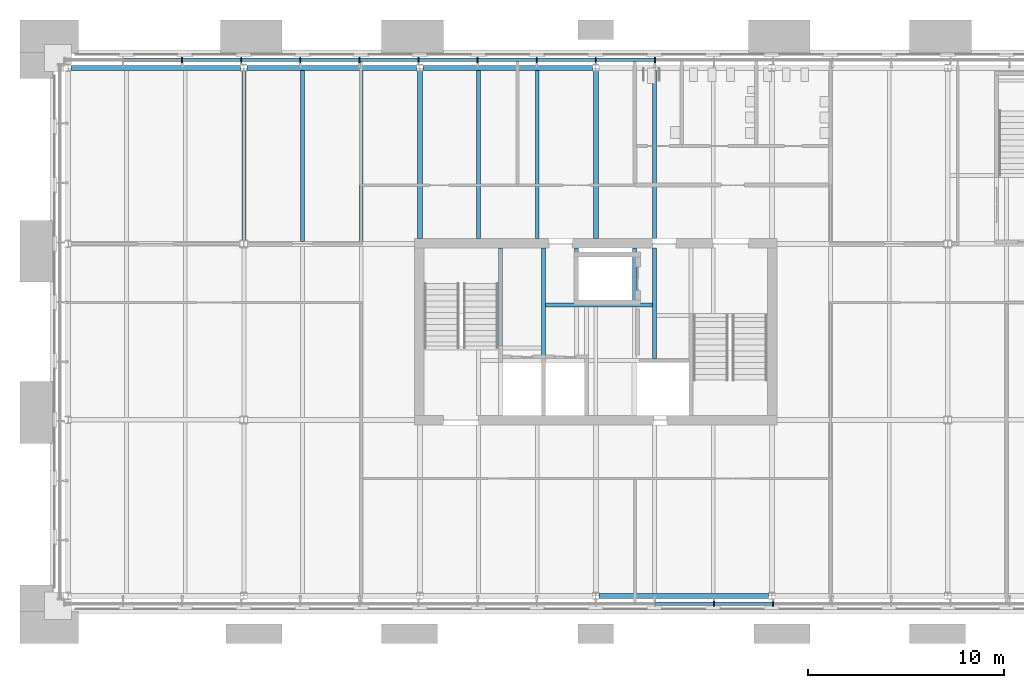
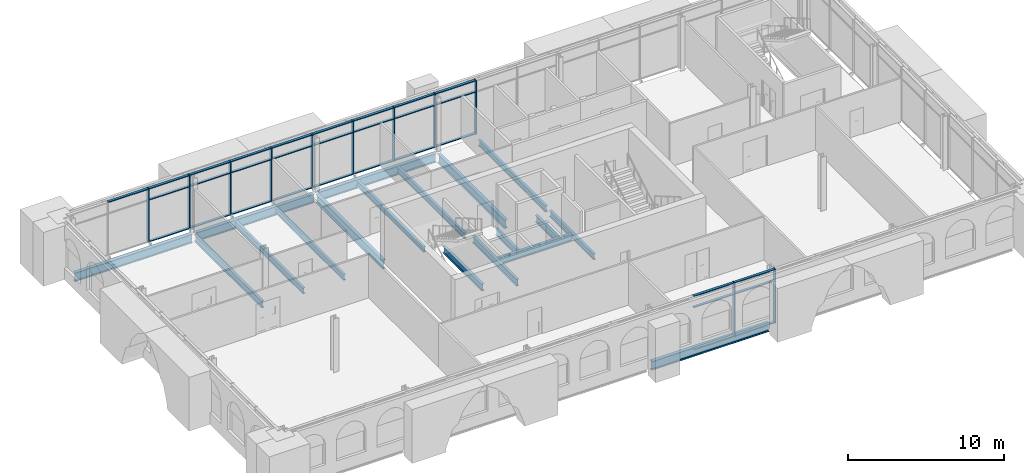
# One storey, part 5 of 22: 42 members, 18 beams, 2 elements without a shape of their own.
"""IFC4 building model written with IfcOpenShell, lengths in metres."""

from ifc_helpers import new_model, si_unit, direction, frame, origin, origin_2d, place, context, subcontext, project, spatial, rectangle, i_section, extrude, material, material_profile, profile_set, type_object, element, aggregate, save


model = new_model("IFC4")

# Units and contexts
model_context = context("Model", 3, precision=1e-05, world=origin(), true_north=direction((0.0, 1.0)))
body_context = subcontext(model_context, "Body", "Model", "MODEL_VIEW")
ifc_project = project(units=[si_unit("LENGTHUNIT", "METRE"), si_unit("AREAUNIT", "SQUARE_METRE"), si_unit("VOLUMEUNIT", "CUBIC_METRE"), si_unit("PLANEANGLEUNIT", "RADIAN"), si_unit("MASSUNIT", "GRAM", prefix="KILO")], contexts=[model_context])

# Site, building, storey
site_placement = place(None, origin())
site = spatial("IfcSite", under=ifc_project, at=site_placement, CompositionType="ELEMENT")
building_placement = place(site_placement, origin())
building = spatial("IfcBuilding", under=site, at=building_placement, Name="Baradari Gate Terminus", CompositionType="ELEMENT")
storey_placement = place(building_placement, frame((0.0, 0.0, 28.5)))
storey = spatial("IfcBuildingStorey", under=building, at=storey_placement, Name="L06", CompositionType="ELEMENT", Elevation=28.5)

# Beams
ifc_material_1 = material(Name="Steel S355", Category="steel")
ifc_material_profile_1 = material_profile(ifc_material_1, i_section(OverallWidth=0.19140625, OverallDepth=0.4599609375, WebThickness=0.010009765625, FlangeThickness=0.01611328125, FilletRadius=0.01025390625, at=origin_2d()), Name="UB 457x191x82")
ifc_profile_set_1 = profile_set([ifc_material_profile_1], Name="Steel S355")
beam_type_1 = type_object("IfcBeamType", Name="Core floor beam B23 UB 457x191x82", PredefinedType="BEAM", material=ifc_profile_set_1)
beam_1_placement = place(storey_placement, frame((39.0, 129.129638671875, -0.360107421875), z_axis=(0.0, 1.0, 0.0), x_axis=(-1.0, 0.0, 0.0)))
element("IfcBeam", 1, at=beam_1_placement, inside=storey, type_object=beam_type_1, Name="Core floor beam B23 39:129.13-134.775 L06", PredefinedType="BEAM", context=body_context, shape_type="SweptSolid", body=[
    extrude(i_section(OverallWidth=0.19140625, OverallDepth=0.4599609375, WebThickness=0.010009765625, FlangeThickness=0.01611328125, FilletRadius=0.01025390625, at=origin_2d()), origin(), (0.0, 0.0, 1.0), 5.645263671875),
])
ifc_material_2 = material(Name="Steel S355", Category="steel")
ifc_material_profile_2 = material_profile(ifc_material_2, i_section(OverallWidth=0.209228515625, OverallDepth=0.533203125, WebThickness=0.010009765625, FlangeThickness=0.015625, FilletRadius=0.0126953125, at=origin_2d()), Name="UB 533x210x92")
ifc_profile_set_2 = profile_set([ifc_material_profile_2], Name="Steel S355")
beam_type_2 = type_object("IfcBeamType", Name="Core floor trimmer beam B22 UB 533x210x92", PredefinedType="BEAM", material=ifc_profile_set_2)
beam_2_placement = place(storey_placement, frame((33.4296875, 131.875, -0.396484375), z_axis=(1.0, 0.0, 0.0), x_axis=(0.0, 1.0, 0.0)))
element("IfcBeam", 2, at=beam_2_placement, inside=storey, type_object=beam_type_2, Name="Core floor trimmer beam B22 131.875:33.43-38.904 L06", PredefinedType="BEAM", context=body_context, shape_type="SweptSolid", body=[
    extrude(i_section(OverallWidth=0.209228515625, OverallDepth=0.533203125, WebThickness=0.010009765625, FlangeThickness=0.015625, FilletRadius=0.0126953125, at=origin_2d()), origin(), (0.0, 0.0, 1.0), 5.474609375),
])
beam_3_placement = place(storey_placement, frame((33.324951171875, 129.129638671875, -0.396484375), z_axis=(0.0, 1.0, 0.0), x_axis=(-1.0, 0.0, 0.0)))
element("IfcBeam", 3, at=beam_3_placement, inside=storey, type_object=beam_type_2, Name="Core floor trimmer beam B22 33.325:129.13-134.775 L06", PredefinedType="BEAM", context=body_context, shape_type="SweptSolid", body=[
    extrude(i_section(OverallWidth=0.209228515625, OverallDepth=0.533203125, WebThickness=0.010009765625, FlangeThickness=0.015625, FilletRadius=0.0126953125, at=origin_2d()), origin(), (0.0, 0.0, 1.0), 5.645263671875),
])
beam_4_placement = place(storey_placement, frame((31.125, 129.77978515625, -0.396484375), z_axis=(0.0, 1.0, 0.0), x_axis=(-1.0, 0.0, 0.0)))
element("IfcBeam", 4, at=beam_4_placement, inside=storey, type_object=beam_type_2, Name="Core floor trimmer beam B22 31.125:129.78-134.775 L06", PredefinedType="BEAM", context=body_context, shape_type="SweptSolid", body=[
    extrude(i_section(OverallWidth=0.209228515625, OverallDepth=0.533203125, WebThickness=0.010009765625, FlangeThickness=0.015625, FilletRadius=0.0126953125, at=origin_2d()), origin(), (0.0, 0.0, 1.0), 4.9951171875),
])
for number, where, z_axis, x_axis, name in (
    (5, (35.02001953125, 131.9794921875, -0.396484375), (0.0, 1.0, 0.0), (-1.0, 0.0, 0.0), "Core floor trimmer beam B22 35.02:131.98-134.775 L06"),
    (6, (37.97802734375, 131.9794921875, -0.396484375), (0.0, 1.0, 0.0), (-1.0, 0.0, 0.0), "Core floor trimmer beam B22 37.978:131.98-134.775 L06"),
):
    element("IfcBeam", number, at=place(storey_placement, frame(where, z_axis=z_axis, x_axis=x_axis)), inside=storey, type_object=beam_type_2, Name=name, PredefinedType="BEAM", context=body_context, shape_type="SweptSolid", body=[
        extrude(i_section(OverallWidth=0.209228515625, OverallDepth=0.533203125, WebThickness=0.010009765625, FlangeThickness=0.015625, FilletRadius=0.0126953125, at=origin_2d()), origin(), (0.0, 0.0, 1.0), 2.79541015625),
    ])

# Curtain wall, members
ifc_material_3 = material(Name="Aluminium 6063-T6", Category="aluminium")
curtain_wall_type = type_object("IfcCurtainWallType", Name="Curtain wall CW-12 block arcade floors, L06-L07", PredefinedType="NOTDEFINED", material=ifc_material_3)
curtain_wall_1_placement = place(storey_placement, origin())
curtain_wall_1 = element("IfcCurtainWall", 7, at=curtain_wall_1_placement, inside=storey, type_object=curtain_wall_type, Name="Curtain wall CW-12 Operations block S face L06", PredefinedType="NOTDEFINED")
ifc_material_4 = material(Name="Aluminium 6063-T6", Category="aluminium")
ifc_material_profile_3 = material_profile(ifc_material_4, rectangle(XDim=0.27490234375, YDim=0.06494140625, at=origin_2d()), Name="CM-12 65X275")
ifc_profile_set_3 = profile_set([ifc_material_profile_3], Name="Aluminium 6063-T6")
member_type_1 = type_object("IfcMemberType", Name="Curtain wall mullion CM-12 65x275", PredefinedType="MULLION", material=ifc_profile_set_3)
member_1_placement = place(storey_placement, frame((42.04443359375, 116.592529296875, 0.0), z_axis=(0.0, 0.0, 1.0), x_axis=(0.0, 1.0, 0.0)))
member_1 = element("IfcMember", 8, at=member_1_placement, type_object=member_type_1, Name="CW-12 mullion 12", PredefinedType="MULLION", context=body_context, shape_type="SweptSolid", body=[
    extrude(rectangle(XDim=0.27490234375, YDim=0.06494140625, at=origin_2d()), origin(), (0.0, 0.0, 1.0), 4.199951171875),
])
member_2_placement = place(storey_placement, frame((45.066650390625, 116.592529296875, 0.0), z_axis=(0.0, 0.0, 1.0), x_axis=(0.0, 1.0, 0.0)))
member_2 = element("IfcMember", 9, at=member_2_placement, type_object=member_type_1, Name="CW-12 mullion 13", PredefinedType="MULLION", context=body_context, shape_type="SweptSolid", body=[
    extrude(rectangle(XDim=0.27490234375, YDim=0.06494140625, at=origin_2d()), origin(), (0.0, 0.0, 1.0), 4.199951171875),
])

curtain_wall_2_placement = place(storey_placement, origin())
curtain_wall_2 = element("IfcCurtainWall", 10, at=curtain_wall_2_placement, inside=storey, type_object=curtain_wall_type, Name="Curtain wall CW-12 Operations block N face L06", PredefinedType="NOTDEFINED")
member_3_placement = place(storey_placement, frame((39.022216796875, 144.407470703125, 0.0), z_axis=(0.0, 0.0, 1.0), x_axis=(0.0, -1.0, 0.0)))
member_3 = element("IfcMember", 11, at=member_3_placement, type_object=member_type_1, Name="CW-12 mullion 9", PredefinedType="MULLION", context=body_context, shape_type="SweptSolid", body=[
    extrude(rectangle(XDim=0.27490234375, YDim=0.06494140625, at=origin_2d()), origin(), (0.0, 0.0, 1.0), 4.199951171875),
])
member_4_placement = place(storey_placement, frame((36.0, 144.407470703125, 0.0), z_axis=(0.0, 0.0, 1.0), x_axis=(0.0, -1.0, 0.0)))
member_4 = element("IfcMember", 12, at=member_4_placement, type_object=member_type_1, Name="CW-12 mullion 10", PredefinedType="MULLION", context=body_context, shape_type="SweptSolid", body=[
    extrude(rectangle(XDim=0.27490234375, YDim=0.06494140625, at=origin_2d()), origin(), (0.0, 0.0, 1.0), 4.199951171875),
])
member_5_placement = place(storey_placement, frame((32.977783203125, 144.407470703125, 0.0), z_axis=(0.0, 0.0, 1.0), x_axis=(0.0, -1.0, 0.0)))
member_5 = element("IfcMember", 13, at=member_5_placement, type_object=member_type_1, Name="CW-12 mullion 11", PredefinedType="MULLION", context=body_context, shape_type="SweptSolid", body=[
    extrude(rectangle(XDim=0.27490234375, YDim=0.06494140625, at=origin_2d()), origin(), (0.0, 0.0, 1.0), 4.199951171875),
])
member_6_placement = place(storey_placement, frame((29.95556640625, 144.407470703125, 0.0), z_axis=(0.0, 0.0, 1.0), x_axis=(0.0, -1.0, 0.0)))
member_6 = element("IfcMember", 14, at=member_6_placement, type_object=member_type_1, Name="CW-12 mullion 12", PredefinedType="MULLION", context=body_context, shape_type="SweptSolid", body=[
    extrude(rectangle(XDim=0.27490234375, YDim=0.06494140625, at=origin_2d()), origin(), (0.0, 0.0, 1.0), 4.199951171875),
])
member_7_placement = place(storey_placement, frame((26.933349609375, 144.407470703125, 0.0), z_axis=(0.0, 0.0, 1.0), x_axis=(0.0, -1.0, 0.0)))
member_7 = element("IfcMember", 15, at=member_7_placement, type_object=member_type_1, Name="CW-12 mullion 13", PredefinedType="MULLION", context=body_context, shape_type="SweptSolid", body=[
    extrude(rectangle(XDim=0.27490234375, YDim=0.06494140625, at=origin_2d()), origin(), (0.0, 0.0, 1.0), 4.199951171875),
])
member_8_placement = place(storey_placement, frame((23.9111328125, 144.407470703125, 0.0), z_axis=(0.0, 0.0, 1.0), x_axis=(0.0, -1.0, 0.0)))
member_8 = element("IfcMember", 16, at=member_8_placement, type_object=member_type_1, Name="CW-12 mullion 14", PredefinedType="MULLION", context=body_context, shape_type="SweptSolid", body=[
    extrude(rectangle(XDim=0.27490234375, YDim=0.06494140625, at=origin_2d()), origin(), (0.0, 0.0, 1.0), 4.199951171875),
])
member_9_placement = place(storey_placement, frame((20.888916015625, 144.407470703125, 0.0), z_axis=(0.0, 0.0, 1.0), x_axis=(0.0, -1.0, 0.0)))
member_9 = element("IfcMember", 17, at=member_9_placement, type_object=member_type_1, Name="CW-12 mullion 15", PredefinedType="MULLION", context=body_context, shape_type="SweptSolid", body=[
    extrude(rectangle(XDim=0.27490234375, YDim=0.06494140625, at=origin_2d()), origin(), (0.0, 0.0, 1.0), 4.199951171875),
])
member_10_placement = place(storey_placement, frame((17.86669921875, 144.407470703125, 0.0), z_axis=(0.0, 0.0, 1.0), x_axis=(0.0, -1.0, 0.0)))
member_10 = element("IfcMember", 18, at=member_10_placement, type_object=member_type_1, Name="CW-12 mullion 16", PredefinedType="MULLION", context=body_context, shape_type="SweptSolid", body=[
    extrude(rectangle(XDim=0.27490234375, YDim=0.06494140625, at=origin_2d()), origin(), (0.0, 0.0, 1.0), 4.199951171875),
])
member_11_placement = place(storey_placement, frame((14.844482421875, 144.407470703125, 0.0), z_axis=(0.0, 0.0, 1.0), x_axis=(0.0, -1.0, 0.0)))
member_11 = element("IfcMember", 19, at=member_11_placement, type_object=member_type_1, Name="CW-12 mullion 17", PredefinedType="MULLION", context=body_context, shape_type="SweptSolid", body=[
    extrude(rectangle(XDim=0.27490234375, YDim=0.06494140625, at=origin_2d()), origin(), (0.0, 0.0, 1.0), 4.199951171875),
])

# Member
ifc_material_5 = material(Name="Aluminium 6063-T6", Category="aluminium")
ifc_material_profile_4 = material_profile(ifc_material_5, rectangle(XDim=0.18505859375, YDim=0.06494140625, at=origin_2d()), Name="CT-12 65X185")
ifc_profile_set_4 = profile_set([ifc_material_profile_4], Name="Aluminium 6063-T6")
member_type_2 = type_object("IfcMemberType", Name="Curtain wall transom CT-12 65x185", PredefinedType="USERDEFINED", material=ifc_profile_set_4)
member_12_placement = place(storey_placement, frame((39.0546875, 116.592529296875, 0.032470703125), z_axis=(1.0, 0.0, 0.0), x_axis=(0.0, 1.0, 0.0)))
member_12 = element("IfcMember", 20, at=member_12_placement, type_object=member_type_2, Name="CW-12 transom 11.1", ObjectType="TRANSOM", PredefinedType="USERDEFINED", context=body_context, shape_type="SweptSolid", body=[
    extrude(rectangle(XDim=0.18505859375, YDim=0.06494140625, at=origin_2d()), origin(), (0.0, 0.0, 1.0), 2.957275390625),
])

member_13_placement = place(storey_placement, frame((39.0546875, 116.592529296875, 3.300048828125), z_axis=(1.0, 0.0, 0.0), x_axis=(0.0, 1.0, 0.0)))
member_13 = element("IfcMember", 21, at=member_13_placement, type_object=member_type_2, Name="CW-12 transom 11.2", ObjectType="TRANSOM", PredefinedType="USERDEFINED", context=body_context, shape_type="SweptSolid", body=[
    extrude(rectangle(XDim=0.18505859375, YDim=0.06494140625, at=origin_2d()), origin(), (0.0, 0.0, 1.0), 2.957275390625),
])

member_14_placement = place(storey_placement, frame((39.0546875, 116.592529296875, 4.16748046875), z_axis=(1.0, 0.0, 0.0), x_axis=(0.0, 1.0, 0.0)))
member_14 = element("IfcMember", 22, at=member_14_placement, type_object=member_type_2, Name="CW-12 transom 11.3", ObjectType="TRANSOM", PredefinedType="USERDEFINED", context=body_context, shape_type="SweptSolid", body=[
    extrude(rectangle(XDim=0.18505859375, YDim=0.06494140625, at=origin_2d()), origin(), (0.0, 0.0, 1.0), 2.957275390625),
])

member_15_placement = place(storey_placement, frame((42.076904296875, 116.592529296875, 0.032470703125), z_axis=(1.0, 0.0, 0.0), x_axis=(0.0, 1.0, 0.0)))
member_15 = element("IfcMember", 23, at=member_15_placement, type_object=member_type_2, Name="CW-12 transom 12.1", ObjectType="TRANSOM", PredefinedType="USERDEFINED", context=body_context, shape_type="SweptSolid", body=[
    extrude(rectangle(XDim=0.18505859375, YDim=0.06494140625, at=origin_2d()), origin(), (0.0, 0.0, 1.0), 2.957275390625),
])

member_16_placement = place(storey_placement, frame((42.076904296875, 116.592529296875, 3.300048828125), z_axis=(1.0, 0.0, 0.0), x_axis=(0.0, 1.0, 0.0)))
member_16 = element("IfcMember", 24, at=member_16_placement, type_object=member_type_2, Name="CW-12 transom 12.2", ObjectType="TRANSOM", PredefinedType="USERDEFINED", context=body_context, shape_type="SweptSolid", body=[
    extrude(rectangle(XDim=0.18505859375, YDim=0.06494140625, at=origin_2d()), origin(), (0.0, 0.0, 1.0), 2.957275390625),
])

member_17_placement = place(storey_placement, frame((42.076904296875, 116.592529296875, 4.16748046875), z_axis=(1.0, 0.0, 0.0), x_axis=(0.0, 1.0, 0.0)))
member_17 = element("IfcMember", 25, at=member_17_placement, type_object=member_type_2, Name="CW-12 transom 12.3", ObjectType="TRANSOM", PredefinedType="USERDEFINED", context=body_context, shape_type="SweptSolid", body=[
    extrude(rectangle(XDim=0.18505859375, YDim=0.06494140625, at=origin_2d()), origin(), (0.0, 0.0, 1.0), 2.957275390625),
])

aggregate(curtain_wall_1, [member_1, member_2, member_12, member_13, member_14, member_15, member_16, member_17])

member_18_placement = place(storey_placement, frame((38.98974609375, 144.407470703125, 0.032470703125), z_axis=(-1.0, 0.0, 0.0), x_axis=(0.0, -1.0, 0.0)))
member_18 = element("IfcMember", 26, at=member_18_placement, type_object=member_type_2, Name="CW-12 transom 9.1", ObjectType="TRANSOM", PredefinedType="USERDEFINED", context=body_context, shape_type="SweptSolid", body=[
    extrude(rectangle(XDim=0.18505859375, YDim=0.06494140625, at=origin_2d()), origin(), (0.0, 0.0, 1.0), 2.957275390625),
])

member_19_placement = place(storey_placement, frame((38.98974609375, 144.407470703125, 3.300048828125), z_axis=(-1.0, 0.0, 0.0), x_axis=(0.0, -1.0, 0.0)))
member_19 = element("IfcMember", 27, at=member_19_placement, type_object=member_type_2, Name="CW-12 transom 9.2", ObjectType="TRANSOM", PredefinedType="USERDEFINED", context=body_context, shape_type="SweptSolid", body=[
    extrude(rectangle(XDim=0.18505859375, YDim=0.06494140625, at=origin_2d()), origin(), (0.0, 0.0, 1.0), 2.957275390625),
])

member_20_placement = place(storey_placement, frame((38.98974609375, 144.407470703125, 4.16748046875), z_axis=(-1.0, 0.0, 0.0), x_axis=(0.0, -1.0, 0.0)))
member_20 = element("IfcMember", 28, at=member_20_placement, type_object=member_type_2, Name="CW-12 transom 9.3", ObjectType="TRANSOM", PredefinedType="USERDEFINED", context=body_context, shape_type="SweptSolid", body=[
    extrude(rectangle(XDim=0.18505859375, YDim=0.06494140625, at=origin_2d()), origin(), (0.0, 0.0, 1.0), 2.957275390625),
])

member_21_placement = place(storey_placement, frame((35.967529296875, 144.407470703125, 0.032470703125), z_axis=(-1.0, 0.0, 0.0), x_axis=(0.0, -1.0, 0.0)))
member_21 = element("IfcMember", 29, at=member_21_placement, type_object=member_type_2, Name="CW-12 transom 10.1", ObjectType="TRANSOM", PredefinedType="USERDEFINED", context=body_context, shape_type="SweptSolid", body=[
    extrude(rectangle(XDim=0.18505859375, YDim=0.06494140625, at=origin_2d()), origin(), (0.0, 0.0, 1.0), 2.957275390625),
])

member_22_placement = place(storey_placement, frame((35.967529296875, 144.407470703125, 3.300048828125), z_axis=(-1.0, 0.0, 0.0), x_axis=(0.0, -1.0, 0.0)))
member_22 = element("IfcMember", 30, at=member_22_placement, type_object=member_type_2, Name="CW-12 transom 10.2", ObjectType="TRANSOM", PredefinedType="USERDEFINED", context=body_context, shape_type="SweptSolid", body=[
    extrude(rectangle(XDim=0.18505859375, YDim=0.06494140625, at=origin_2d()), origin(), (0.0, 0.0, 1.0), 2.957275390625),
])

member_23_placement = place(storey_placement, frame((35.967529296875, 144.407470703125, 4.16748046875), z_axis=(-1.0, 0.0, 0.0), x_axis=(0.0, -1.0, 0.0)))
member_23 = element("IfcMember", 31, at=member_23_placement, type_object=member_type_2, Name="CW-12 transom 10.3", ObjectType="TRANSOM", PredefinedType="USERDEFINED", context=body_context, shape_type="SweptSolid", body=[
    extrude(rectangle(XDim=0.18505859375, YDim=0.06494140625, at=origin_2d()), origin(), (0.0, 0.0, 1.0), 2.957275390625),
])

member_24_placement = place(storey_placement, frame((32.9453125, 144.407470703125, 0.032470703125), z_axis=(-1.0, 0.0, 0.0), x_axis=(0.0, -1.0, 0.0)))
member_24 = element("IfcMember", 32, at=member_24_placement, type_object=member_type_2, Name="CW-12 transom 11.1", ObjectType="TRANSOM", PredefinedType="USERDEFINED", context=body_context, shape_type="SweptSolid", body=[
    extrude(rectangle(XDim=0.18505859375, YDim=0.06494140625, at=origin_2d()), origin(), (0.0, 0.0, 1.0), 2.957275390625),
])

member_25_placement = place(storey_placement, frame((32.9453125, 144.407470703125, 3.300048828125), z_axis=(-1.0, 0.0, 0.0), x_axis=(0.0, -1.0, 0.0)))
member_25 = element("IfcMember", 33, at=member_25_placement, type_object=member_type_2, Name="CW-12 transom 11.2", ObjectType="TRANSOM", PredefinedType="USERDEFINED", context=body_context, shape_type="SweptSolid", body=[
    extrude(rectangle(XDim=0.18505859375, YDim=0.06494140625, at=origin_2d()), origin(), (0.0, 0.0, 1.0), 2.957275390625),
])

member_26_placement = place(storey_placement, frame((32.9453125, 144.407470703125, 4.16748046875), z_axis=(-1.0, 0.0, 0.0), x_axis=(0.0, -1.0, 0.0)))
member_26 = element("IfcMember", 34, at=member_26_placement, type_object=member_type_2, Name="CW-12 transom 11.3", ObjectType="TRANSOM", PredefinedType="USERDEFINED", context=body_context, shape_type="SweptSolid", body=[
    extrude(rectangle(XDim=0.18505859375, YDim=0.06494140625, at=origin_2d()), origin(), (0.0, 0.0, 1.0), 2.957275390625),
])

member_27_placement = place(storey_placement, frame((29.923095703125, 144.407470703125, 0.032470703125), z_axis=(-1.0, 0.0, 0.0), x_axis=(0.0, -1.0, 0.0)))
member_27 = element("IfcMember", 35, at=member_27_placement, type_object=member_type_2, Name="CW-12 transom 12.1", ObjectType="TRANSOM", PredefinedType="USERDEFINED", context=body_context, shape_type="SweptSolid", body=[
    extrude(rectangle(XDim=0.18505859375, YDim=0.06494140625, at=origin_2d()), origin(), (0.0, 0.0, 1.0), 2.957275390625),
])

member_28_placement = place(storey_placement, frame((29.923095703125, 144.407470703125, 3.300048828125), z_axis=(-1.0, 0.0, 0.0), x_axis=(0.0, -1.0, 0.0)))
member_28 = element("IfcMember", 36, at=member_28_placement, type_object=member_type_2, Name="CW-12 transom 12.2", ObjectType="TRANSOM", PredefinedType="USERDEFINED", context=body_context, shape_type="SweptSolid", body=[
    extrude(rectangle(XDim=0.18505859375, YDim=0.06494140625, at=origin_2d()), origin(), (0.0, 0.0, 1.0), 2.957275390625),
])

member_29_placement = place(storey_placement, frame((29.923095703125, 144.407470703125, 4.16748046875), z_axis=(-1.0, 0.0, 0.0), x_axis=(0.0, -1.0, 0.0)))
member_29 = element("IfcMember", 37, at=member_29_placement, type_object=member_type_2, Name="CW-12 transom 12.3", ObjectType="TRANSOM", PredefinedType="USERDEFINED", context=body_context, shape_type="SweptSolid", body=[
    extrude(rectangle(XDim=0.18505859375, YDim=0.06494140625, at=origin_2d()), origin(), (0.0, 0.0, 1.0), 2.957275390625),
])

member_30_placement = place(storey_placement, frame((26.90087890625, 144.407470703125, 0.032470703125), z_axis=(-1.0, 0.0, 0.0), x_axis=(0.0, -1.0, 0.0)))
member_30 = element("IfcMember", 38, at=member_30_placement, type_object=member_type_2, Name="CW-12 transom 13.1", ObjectType="TRANSOM", PredefinedType="USERDEFINED", context=body_context, shape_type="SweptSolid", body=[
    extrude(rectangle(XDim=0.18505859375, YDim=0.06494140625, at=origin_2d()), origin(), (0.0, 0.0, 1.0), 2.957275390625),
])

member_31_placement = place(storey_placement, frame((26.90087890625, 144.407470703125, 3.300048828125), z_axis=(-1.0, 0.0, 0.0), x_axis=(0.0, -1.0, 0.0)))
member_31 = element("IfcMember", 39, at=member_31_placement, type_object=member_type_2, Name="CW-12 transom 13.2", ObjectType="TRANSOM", PredefinedType="USERDEFINED", context=body_context, shape_type="SweptSolid", body=[
    extrude(rectangle(XDim=0.18505859375, YDim=0.06494140625, at=origin_2d()), origin(), (0.0, 0.0, 1.0), 2.957275390625),
])

member_32_placement = place(storey_placement, frame((26.90087890625, 144.407470703125, 4.16748046875), z_axis=(-1.0, 0.0, 0.0), x_axis=(0.0, -1.0, 0.0)))
member_32 = element("IfcMember", 40, at=member_32_placement, type_object=member_type_2, Name="CW-12 transom 13.3", ObjectType="TRANSOM", PredefinedType="USERDEFINED", context=body_context, shape_type="SweptSolid", body=[
    extrude(rectangle(XDim=0.18505859375, YDim=0.06494140625, at=origin_2d()), origin(), (0.0, 0.0, 1.0), 2.957275390625),
])

member_33_placement = place(storey_placement, frame((23.878662109375, 144.407470703125, 0.032470703125), z_axis=(-1.0, 0.0, 0.0), x_axis=(0.0, -1.0, 0.0)))
member_33 = element("IfcMember", 41, at=member_33_placement, type_object=member_type_2, Name="CW-12 transom 14.1", ObjectType="TRANSOM", PredefinedType="USERDEFINED", context=body_context, shape_type="SweptSolid", body=[
    extrude(rectangle(XDim=0.18505859375, YDim=0.06494140625, at=origin_2d()), origin(), (0.0, 0.0, 1.0), 2.957275390625),
])

member_34_placement = place(storey_placement, frame((23.878662109375, 144.407470703125, 3.300048828125), z_axis=(-1.0, 0.0, 0.0), x_axis=(0.0, -1.0, 0.0)))
member_34 = element("IfcMember", 42, at=member_34_placement, type_object=member_type_2, Name="CW-12 transom 14.2", ObjectType="TRANSOM", PredefinedType="USERDEFINED", context=body_context, shape_type="SweptSolid", body=[
    extrude(rectangle(XDim=0.18505859375, YDim=0.06494140625, at=origin_2d()), origin(), (0.0, 0.0, 1.0), 2.957275390625),
])

member_35_placement = place(storey_placement, frame((23.878662109375, 144.407470703125, 4.16748046875), z_axis=(-1.0, 0.0, 0.0), x_axis=(0.0, -1.0, 0.0)))
member_35 = element("IfcMember", 43, at=member_35_placement, type_object=member_type_2, Name="CW-12 transom 14.3", ObjectType="TRANSOM", PredefinedType="USERDEFINED", context=body_context, shape_type="SweptSolid", body=[
    extrude(rectangle(XDim=0.18505859375, YDim=0.06494140625, at=origin_2d()), origin(), (0.0, 0.0, 1.0), 2.957275390625),
])

member_36_placement = place(storey_placement, frame((20.8564453125, 144.407470703125, 0.032470703125), z_axis=(-1.0, 0.0, 0.0), x_axis=(0.0, -1.0, 0.0)))
member_36 = element("IfcMember", 44, at=member_36_placement, type_object=member_type_2, Name="CW-12 transom 15.1", ObjectType="TRANSOM", PredefinedType="USERDEFINED", context=body_context, shape_type="SweptSolid", body=[
    extrude(rectangle(XDim=0.18505859375, YDim=0.06494140625, at=origin_2d()), origin(), (0.0, 0.0, 1.0), 2.957275390625),
])

member_37_placement = place(storey_placement, frame((20.8564453125, 144.407470703125, 3.300048828125), z_axis=(-1.0, 0.0, 0.0), x_axis=(0.0, -1.0, 0.0)))
member_37 = element("IfcMember", 45, at=member_37_placement, type_object=member_type_2, Name="CW-12 transom 15.2", ObjectType="TRANSOM", PredefinedType="USERDEFINED", context=body_context, shape_type="SweptSolid", body=[
    extrude(rectangle(XDim=0.18505859375, YDim=0.06494140625, at=origin_2d()), origin(), (0.0, 0.0, 1.0), 2.957275390625),
])

member_38_placement = place(storey_placement, frame((20.8564453125, 144.407470703125, 4.16748046875), z_axis=(-1.0, 0.0, 0.0), x_axis=(0.0, -1.0, 0.0)))
member_38 = element("IfcMember", 46, at=member_38_placement, type_object=member_type_2, Name="CW-12 transom 15.3", ObjectType="TRANSOM", PredefinedType="USERDEFINED", context=body_context, shape_type="SweptSolid", body=[
    extrude(rectangle(XDim=0.18505859375, YDim=0.06494140625, at=origin_2d()), origin(), (0.0, 0.0, 1.0), 2.957275390625),
])

member_39_placement = place(storey_placement, frame((17.834228515625, 144.407470703125, 0.032470703125), z_axis=(-1.0, 0.0, 0.0), x_axis=(0.0, -1.0, 0.0)))
member_39 = element("IfcMember", 47, at=member_39_placement, type_object=member_type_2, Name="CW-12 transom 16.1", ObjectType="TRANSOM", PredefinedType="USERDEFINED", context=body_context, shape_type="SweptSolid", body=[
    extrude(rectangle(XDim=0.18505859375, YDim=0.06494140625, at=origin_2d()), origin(), (0.0, 0.0, 1.0), 2.957275390625),
])

member_40_placement = place(storey_placement, frame((17.834228515625, 144.407470703125, 3.300048828125), z_axis=(-1.0, 0.0, 0.0), x_axis=(0.0, -1.0, 0.0)))
member_40 = element("IfcMember", 48, at=member_40_placement, type_object=member_type_2, Name="CW-12 transom 16.2", ObjectType="TRANSOM", PredefinedType="USERDEFINED", context=body_context, shape_type="SweptSolid", body=[
    extrude(rectangle(XDim=0.18505859375, YDim=0.06494140625, at=origin_2d()), origin(), (0.0, 0.0, 1.0), 2.957275390625),
])

member_41_placement = place(storey_placement, frame((17.834228515625, 144.407470703125, 4.16748046875), z_axis=(-1.0, 0.0, 0.0), x_axis=(0.0, -1.0, 0.0)))
member_41 = element("IfcMember", 49, at=member_41_placement, type_object=member_type_2, Name="CW-12 transom 16.3", ObjectType="TRANSOM", PredefinedType="USERDEFINED", context=body_context, shape_type="SweptSolid", body=[
    extrude(rectangle(XDim=0.18505859375, YDim=0.06494140625, at=origin_2d()), origin(), (0.0, 0.0, 1.0), 2.957275390625),
])

member_42_placement = place(storey_placement, frame((14.81201171875, 144.407470703125, 4.16748046875), z_axis=(-1.0, 0.0, 0.0), x_axis=(0.0, -1.0, 0.0)))
member_42 = element("IfcMember", 50, at=member_42_placement, type_object=member_type_2, Name="CW-12 transom 17.3", ObjectType="TRANSOM", PredefinedType="USERDEFINED", context=body_context, shape_type="SweptSolid", body=[
    extrude(rectangle(XDim=0.18505859375, YDim=0.06494140625, at=origin_2d()), origin(), (0.0, 0.0, 1.0), 2.957275390625),
])

aggregate(curtain_wall_2, [member_3, member_4, member_5, member_6, member_7, member_8, member_9, member_10, member_11, member_18, member_19, member_20, member_21, member_22, member_23, member_24, member_25, member_26, member_27, member_28, member_29, member_30, member_31, member_32, member_33, member_34, member_35, member_36, member_37, member_38, member_39, member_40, member_41, member_42])

# Beams
ifc_material_6 = material(Name="Steel S355", Category="steel")
ifc_material_profile_5 = material_profile(ifc_material_6, i_section(OverallWidth=0.25439453125, OverallDepth=0.6875, WebThickness=0.01318359375, FlangeThickness=0.02099609375, FilletRadius=0.01513671875, at=origin_2d()), Name="UB 686x254x152")
ifc_profile_set_5 = profile_set([ifc_material_profile_5], Name="Steel S355")
beam_type_3 = type_object("IfcBeamType", Name="Operations block coupling beam B26 UB 686x254x152", PredefinedType="BEAM", material=ifc_profile_set_5)
for number, where, z_axis, x_axis, name in (
    (51, (27.0, 135.27490234375, -0.4736328125), (0.0, 1.0, 0.0), (-1.0, 0.0, 0.0), "Operations block coupling beam B26 4:135.275-143.83 L06"),
    (52, (36.0, 135.27490234375, -0.4736328125), (0.0, 1.0, 0.0), (-1.0, 0.0, 0.0), "Operations block coupling beam B26 5:135.275-143.83 L06"),
):
    element("IfcBeam", number, at=place(storey_placement, frame(where, z_axis=z_axis, x_axis=x_axis)), inside=storey, type_object=beam_type_3, Name=name, PredefinedType="BEAM", context=body_context, shape_type="SweptSolid", body=[
        extrude(i_section(OverallWidth=0.25439453125, OverallDepth=0.6875, WebThickness=0.01318359375, FlangeThickness=0.02099609375, FilletRadius=0.01513671875, at=origin_2d()), origin(), (0.0, 0.0, 1.0), 8.55517578125),
    ])
ifc_material_7 = material(Name="Steel S355", Category="steel")
ifc_material_profile_6 = material_profile(ifc_material_7, i_section(OverallWidth=0.210693359375, OverallDepth=0.53955078125, WebThickness=0.01171875, FlangeThickness=0.018798828125, FilletRadius=0.0126953125, at=origin_2d()), Name="UB 533x210x109")
ifc_profile_set_6 = profile_set([ifc_material_profile_6], Name="Steel S355")
beam_type_4 = type_object("IfcBeamType", Name="Operations block girder B29 UB 533x210x109", PredefinedType="BEAM", material=ifc_profile_set_6)
beam_5_placement = place(storey_placement, frame((18.0, 135.1904296875, -0.399658203125), z_axis=(0.0, 1.0, 0.0), x_axis=(-1.0, 0.0, 0.0)))
element("IfcBeam", 53, at=beam_5_placement, inside=storey, type_object=beam_type_4, Name="Operations block girder B29 3:135.19-143.83 L06", PredefinedType="BEAM", context=body_context, shape_type="SweptSolid", body=[
    extrude(i_section(OverallWidth=0.210693359375, OverallDepth=0.53955078125, WebThickness=0.01171875, FlangeThickness=0.018798828125, FilletRadius=0.0126953125, at=origin_2d()), origin(), (0.0, 0.0, 1.0), 8.6396484375),
])
ifc_material_8 = material(Name="Steel S355", Category="steel")
ifc_material_profile_7 = material_profile(ifc_material_8, i_section(OverallWidth=0.25439453125, OverallDepth=0.6875, WebThickness=0.01318359375, FlangeThickness=0.02099609375, FilletRadius=0.01513671875, at=origin_2d()), Name="UB 686x254x152")
ifc_profile_set_7 = profile_set([ifc_material_profile_7], Name="Steel S355")
beam_type_5 = type_object("IfcBeamType", Name="Operations block moment frame beam B32 UB 686x254x152", PredefinedType="BEAM", material=ifc_profile_set_7)
for number, where, z_axis, x_axis, name in (
    (54, (36.1572265625, 117.0, -0.4736328125), (1.0, 0.0, 0.0), (0.0, 1.0, 0.0), "Operations block moment frame beam B32 P:36.157-44.843 L06"),
    (55, (9.1572265625, 144.0, -0.4736328125), (1.0, 0.0, 0.0), (0.0, 1.0, 0.0), "Operations block moment frame beam B32 S:9.157-17.843 L06"),
    (56, (18.1572265625, 144.0, -0.4736328125), (1.0, 0.0, 0.0), (0.0, 1.0, 0.0), "Operations block moment frame beam B32 S:18.157-26.843 L06"),
    (57, (27.1572265625, 144.0, -0.4736328125), (1.0, 0.0, 0.0), (0.0, 1.0, 0.0), "Operations block moment frame beam B32 S:27.157-35.843 L06"),
):
    element("IfcBeam", number, at=place(storey_placement, frame(where, z_axis=z_axis, x_axis=x_axis)), inside=storey, type_object=beam_type_5, Name=name, PredefinedType="BEAM", context=body_context, shape_type="SweptSolid", body=[
        extrude(i_section(OverallWidth=0.25439453125, OverallDepth=0.6875, WebThickness=0.01318359375, FlangeThickness=0.02099609375, FilletRadius=0.01513671875, at=origin_2d()), origin(), (0.0, 0.0, 1.0), 8.685546875),
    ])
ifc_material_9 = material(Name="Steel S355", Category="steel")
ifc_material_profile_8 = material_profile(ifc_material_9, i_section(OverallWidth=0.18994140625, OverallDepth=0.453369140625, WebThickness=0.008544921875, FlangeThickness=0.0126953125, FilletRadius=0.01025390625, at=origin_2d()), Name="UB 457x191x67")
ifc_profile_set_8 = profile_set([ifc_material_profile_8], Name="Steel S355")
beam_type_6 = type_object("IfcBeamType", Name="Operations block secondary beam B28 UB 457x191x67", PredefinedType="BEAM", material=ifc_profile_set_8)
for number, where, z_axis, x_axis, name in (
    (58, (21.0, 135.127197265625, -0.356689453125), (0.0, 1.0, 0.0), (-1.0, 0.0, 0.0), "Operations block secondary beam B28 21:135.127-143.873 L06"),
    (59, (24.0, 135.127197265625, -0.356689453125), (0.0, 1.0, 0.0), (-1.0, 0.0, 0.0), "Operations block secondary beam B28 24:135.127-143.873 L06"),
):
    element("IfcBeam", number, at=place(storey_placement, frame(where, z_axis=z_axis, x_axis=x_axis)), inside=storey, type_object=beam_type_6, Name=name, PredefinedType="BEAM", context=body_context, shape_type="SweptSolid", body=[
        extrude(i_section(OverallWidth=0.18994140625, OverallDepth=0.453369140625, WebThickness=0.008544921875, FlangeThickness=0.0126953125, FilletRadius=0.01025390625, at=origin_2d()), origin(), (0.0, 0.0, 1.0), 8.74560546875),
    ])
for number, where, z_axis, x_axis, name in (
    (60, (30.0, 135.27490234375, -0.356689453125), (0.0, 1.0, 0.0), (-1.0, 0.0, 0.0), "Operations block secondary beam B28 30:135.275-143.873 L06"),
    (61, (33.0, 135.27490234375, -0.356689453125), (0.0, 1.0, 0.0), (-1.0, 0.0, 0.0), "Operations block secondary beam B28 33:135.275-143.873 L06"),
    (62, (39.0, 135.27490234375, -0.356689453125), (0.0, 1.0, 0.0), (-1.0, 0.0, 0.0), "Operations block secondary beam B28 39:135.275-143.873 L06"),
):
    element("IfcBeam", number, at=place(storey_placement, frame(where, z_axis=z_axis, x_axis=x_axis)), inside=storey, type_object=beam_type_6, Name=name, PredefinedType="BEAM", context=body_context, shape_type="SweptSolid", body=[
        extrude(i_section(OverallWidth=0.18994140625, OverallDepth=0.453369140625, WebThickness=0.008544921875, FlangeThickness=0.0126953125, FilletRadius=0.01025390625, at=origin_2d()), origin(), (0.0, 0.0, 1.0), 8.597900390625),
    ])

save(model, "model.ifc")
